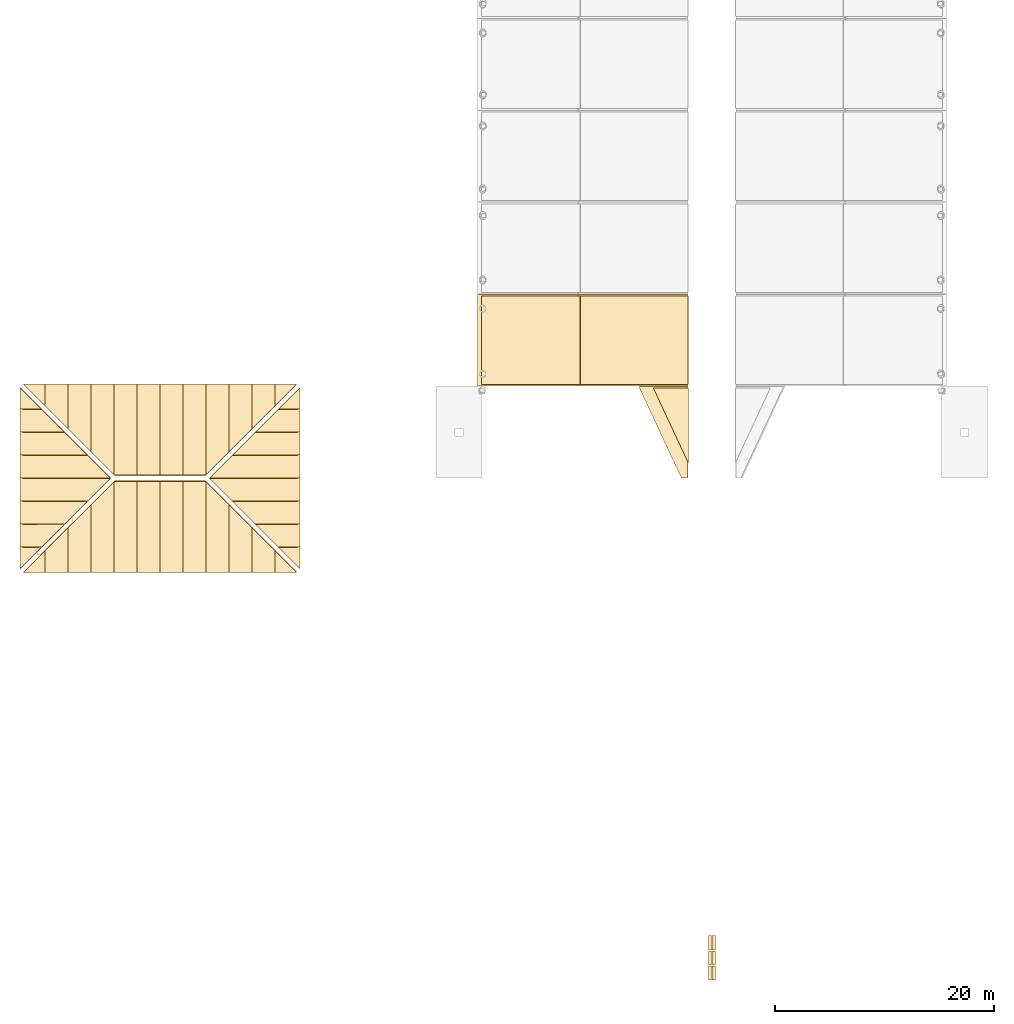
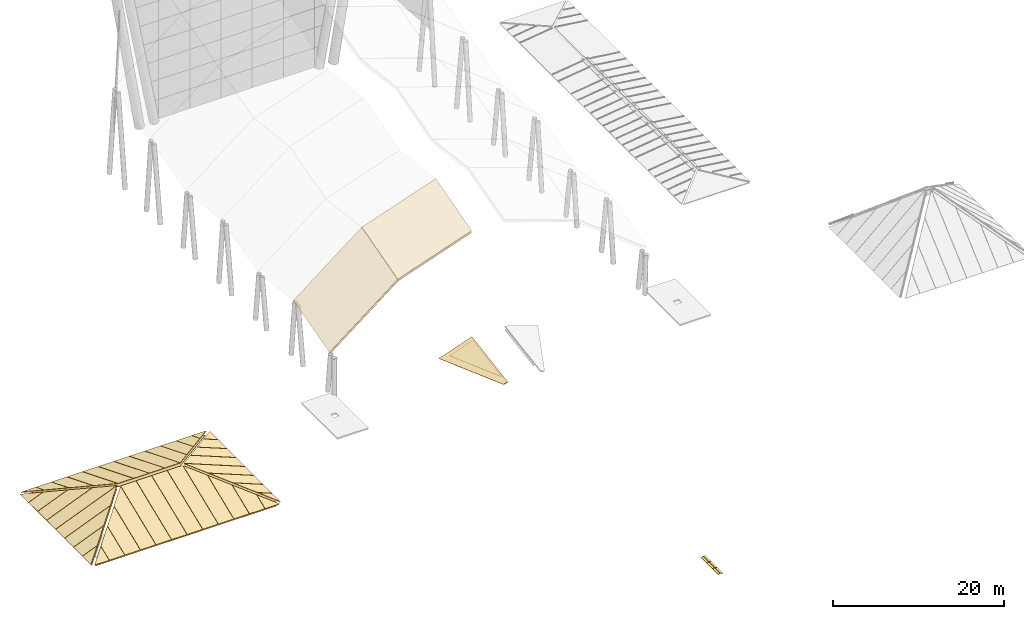
# One storey, part 4 of 8: 56 coverings.
"""IFC4 building model written with IfcOpenShell, lengths in metres."""

from ifc_helpers import new_model, si_unit, direction, frame, origin, place, context, subcontext, project, spatial, polyline, outline, extrude, material, layer, layer_set, type_object, element, save


model = new_model("IFC4")

# Units and contexts
model_context = context("Model", 3, precision=1e-05, world=origin(), true_north=direction((0.0, 1.0)))
body_context = subcontext(model_context, "Body", "Model", "MODEL_VIEW")
ifc_project = project(units=[si_unit("LENGTHUNIT", "METRE"), si_unit("AREAUNIT", "SQUARE_METRE"), si_unit("VOLUMEUNIT", "CUBIC_METRE"), si_unit("PLANEANGLEUNIT", "RADIAN"), si_unit("MASSUNIT", "GRAM", prefix="KILO")], contexts=[model_context])

# Site, building, storey
site_placement = place(None, origin())
site = spatial("IfcSite", under=ifc_project, at=site_placement, CompositionType="ELEMENT")
building_placement = place(site_placement, origin())
building = spatial("IfcBuilding", under=site, at=building_placement, Name="Sava Quay Ferry Terminal", CompositionType="ELEMENT")
storey_placement = place(building_placement, frame((0.0, 0.0, 18.0)))
storey = spatial("IfcBuildingStorey", under=building, at=storey_placement, Name="ROOF", CompositionType="ELEMENT", Elevation=18.0)

# Coverings
ifc_material_1 = material(Name="Glulam GL28h", Category="wood")
ifc_layer_1 = layer(ifc_material_1, 0.06005859375)
ifc_layer_set_1 = layer_set([ifc_layer_1], Name="Glulam GL28h")
covering_type_1 = type_object("IfcCoveringType", Name="Glulam soffit lining 60", PredefinedType="CEILING", material=ifc_layer_set_1)
covering_1_placement = place(storey_placement, frame((41.94580078125, 50.553955078125, 5.790771484375), z_axis=(-0.601145154914, -0.215889596729, 0.769425879957), x_axis=(0.0, 0.962817557191, 0.270152459854)))
element("IfcCovering", 1, at=covering_1_placement, inside=storey, type_object=covering_type_1, Name="Departure hall timber soffit lining bay 1 facet 1", PredefinedType="CEILING", context=body_context, shape_type="SweptSolid", body=[
    extrude(outline(polyline([(0.0, 0.0), (8.404542434016312, 0.0), (10.311570809072332, -11.306101466135969), (1.9070283750560204, -11.306101466135969), (0.0, 0.0)])), origin(), (0.0, 0.0, -1.0), 0.06005859375),
])
covering_2_placement = place(storey_placement, frame((50.998291015625, 50.553955078125, 12.859375), z_axis=(-0.314676338328, -0.25642845335, 0.913905493149), x_axis=(0.0, 0.962817557191, 0.270152459854)))
element("IfcCovering", 2, at=covering_2_placement, inside=storey, type_object=covering_type_1, Name="Departure hall timber soffit lining bay 1 facet 2", PredefinedType="CEILING", context=body_context, shape_type="SweptSolid", body=[
    extrude(outline(polyline([(0.0, 0.0), (8.404542434016312, 0.0), (9.320198342258088, -10.3705857986845), (0.9156559082417766, -10.3705857986845), (0.0, 0.0)])), origin(), (0.0, 0.0, -1.0), 0.06005859375),
])
covering_3_placement = place(storey_placement, frame((60.852783203125, 50.241943359375, 1.100341796875), z_axis=(-0.321911245392, -0.15003113666, 0.934806829309), x_axis=(0.0, -0.987364382877, -0.158466322685)))
element("IfcCovering", 3, at=covering_3_placement, inside=storey, type_object=covering_type_1, Name="Arrivals hall timber soffit lining bay 2 facet 2 (upper part)", PredefinedType="CEILING", context=body_context, shape_type="SweptSolid", body=[
    extrude(outline(polyline([(0.0, 0.0), (6.943694901440905, 0.0), (0.17436711824692316, -3.374962244334093), (0.0, 0.0)])), origin(), (0.0, 0.0, -1.0), 0.06005859375),
])
covering_4_placement = place(storey_placement, frame((0.366455078125, 33.662841796875, 0.171875), z_axis=(0.0, -0.374605765828, 0.927184188934), x_axis=(0.679904653714, 0.679904653714, 0.274698605233)))
element("IfcCovering", 4, at=covering_4_placement, inside=storey, type_object=covering_type_1, Name="West pavilion timber soffit lining WH-S", PredefinedType="CEILING", context=body_context, shape_type="SweptSolid", body=[
    extrude(outline(polyline([(0.0, 0.0), (11.918246830809617, -8.881784197001252e-16), (17.534597894872153, -6.0574275651987195), (16.635255049125327, -17.941694053539827), (0.0, 0.0)])), origin(), (0.0, 0.0, -1.0), 0.06005859375),
])
covering_5_placement = place(storey_placement, frame((25.13720703125, 33.966552734375, 0.171875), z_axis=(0.374594894351, 0.0, 0.92718858121), x_axis=(-0.679906385659, 0.679906385659, 0.274690031635)))
element("IfcCovering", 5, at=covering_5_placement, inside=storey, type_object=covering_type_1, Name="West pavilion timber soffit lining WH-E", PredefinedType="CEILING", context=body_context, shape_type="SweptSolid", body=[
    extrude(outline(polyline([(0.0, 0.0), (11.815519658395711, 0.0), (10.923984189509683, -11.781836414823188), (0.0, 0.0)])), origin(), (0.0, 0.0, -1.0), 0.06005859375),
])
covering_6_placement = place(storey_placement, frame((24.83349609375, 50.337158203125, 0.171875), z_axis=(0.0, 0.374605765828, 0.927184188934), x_axis=(-0.679904653714, -0.679904653714, 0.274698605233)))
element("IfcCovering", 6, at=covering_6_placement, inside=storey, type_object=covering_type_1, Name="West pavilion timber soffit lining WH-N", PredefinedType="CEILING", context=body_context, shape_type="SweptSolid", body=[
    extrude(outline(polyline([(0.0, 0.0), (11.918246830809617, -8.881784197001252e-16), (17.534597894872153, -6.0574275651987195), (16.635255049125327, -17.941694053539827), (0.0, 0.0)])), origin(), (0.0, 0.0, -1.0), 0.06005859375),
])
covering_7_placement = place(storey_placement, frame((0.062744140625, 50.033447265625, 0.171875), z_axis=(-0.374594894351, 0.0, 0.92718858121), x_axis=(0.679906385659, -0.679906385659, 0.274690031635)))
element("IfcCovering", 7, at=covering_7_placement, inside=storey, type_object=covering_type_1, Name="West pavilion timber soffit lining WH-W", PredefinedType="CEILING", context=body_context, shape_type="SweptSolid", body=[
    extrude(outline(polyline([(0.0, 0.0), (11.815519658395711, 0.0), (10.923984189509683, -11.781836414823188), (0.0, 0.0)])), origin(), (0.0, 0.0, -1.0), 0.06005859375),
])
ifc_material_2 = material(Name="Zinc standing seam")
ifc_layer_2 = layer(ifc_material_2, 0.06005859375)
ifc_layer_set_2 = layer_set([ifc_layer_2], Name="Zinc standing seam")
covering_type_2 = type_object("IfcCoveringType", Name="Roof ridge roll 300", PredefinedType="ROOFING", material=ifc_layer_set_2)
for number, where, z_axis, x_axis, name in (
    (8, (62.679931640625, -3.8349609375, -0.138916015625), (-0.153567445205, 0.0, 0.988138168362), (0.0, 1.0, 0.0), "Ridge roll"),
    (9, (62.679931640625, -2.4599609375, -0.138916015625), (-0.153567445205, 0.0, 0.988138168362), (0.0, 1.0, 0.0), "Ridge roll"),
):
    element("IfcCovering", number, at=place(storey_placement, frame(where, z_axis=z_axis, x_axis=x_axis)), inside=storey, type_object=covering_type_2, Name=name, PredefinedType="ROOFING", context=body_context, shape_type="SweptSolid", body=[
        extrude(outline(polyline([(0.0, 0.0), (1.294921875, 0.0), (1.294921875, -0.3036506813844435), (0.0, -0.3036506813844435), (0.0, 0.0)])), origin(), (0.0, 0.0, -1.0), 0.06005859375),
    ])
covering_8_placement = place(storey_placement, frame((62.679931640625, -1.0849609375, -0.138916015625), z_axis=(-0.153567445205, 0.0, 0.988138168362), x_axis=(0.0, 1.0, 0.0)))
element("IfcCovering", 10, at=covering_8_placement, inside=storey, type_object=covering_type_2, Name="Ridge roll", PredefinedType="ROOFING", context=body_context, shape_type="SweptSolid", body=[
    extrude(outline(polyline([(0.0, 0.0), (1.3349609375, 0.0), (1.3349609375, -0.30365068138444345), (0.0, -0.30365068138444345), (0.0, 0.0)])), origin(), (0.0, 0.0, -1.0), 0.06005859375),
])
for number, where, z_axis, x_axis, name in (
    (11, (63.02001953125, -3.8349609375, -0.09228515625), (0.153567445205, 0.0, 0.988138168362), (0.0, 1.0, 0.0), "Ridge roll"),
    (12, (63.02001953125, -2.4599609375, -0.09228515625), (0.153567445205, 0.0, 0.988138168362), (0.0, 1.0, 0.0), "Ridge roll"),
):
    element("IfcCovering", number, at=place(storey_placement, frame(where, z_axis=z_axis, x_axis=x_axis)), inside=storey, type_object=covering_type_2, Name=name, PredefinedType="ROOFING", context=body_context, shape_type="SweptSolid", body=[
        extrude(outline(polyline([(0.0, 0.0), (1.294921875, 0.0), (1.294921875, -0.3036506813844435), (0.0, -0.3036506813844435), (0.0, 0.0)])), origin(), (0.0, 0.0, -1.0), 0.06005859375),
    ])
covering_9_placement = place(storey_placement, frame((63.02001953125, -1.0849609375, -0.09228515625), z_axis=(0.153567445205, 0.0, 0.988138168362), x_axis=(0.0, 1.0, 0.0)))
element("IfcCovering", 13, at=covering_9_placement, inside=storey, type_object=covering_type_2, Name="Ridge roll", PredefinedType="ROOFING", context=body_context, shape_type="SweptSolid", body=[
    extrude(outline(polyline([(0.0, 0.0), (1.3349609375, 0.0), (1.3349609375, -0.30365068138444345), (0.0, -0.30365068138444345), (0.0, 0.0)])), origin(), (0.0, 0.0, -1.0), 0.06005859375),
])
ifc_material_3 = material(Name="Zinc standing seam sheet")
ifc_layer_3 = layer(ifc_material_3, 0.0400390625)
ifc_layer_set_3 = layer_set([ifc_layer_3], Name="Zinc standing seam sheet")
covering_type_3 = type_object("IfcCoveringType", Name="Standing seam roofing 40", PredefinedType="ROOFING", material=ifc_layer_set_3)
covering_10_placement = place(storey_placement, frame((41.5810546875, 50.409912109375, 5.998291015625), z_axis=(-0.601139927237, -0.215899165104, 0.769427279468), x_axis=(-6.487045e-06, 0.962815888899, 0.270158405462)))
element("IfcCovering", 14, at=covering_10_placement, inside=storey, type_object=covering_type_3, Name="Departure hall roofing bay 1 facet 1", PredefinedType="ROOFING", context=body_context, shape_type="SweptSolid", body=[
    extrude(outline(polyline([(0.0, 0.0), (8.703747800160818, 2.220446049250313e-16), (10.647100527460987, -11.52151169887417), (1.9432867706582102, -11.521370393094399), (0.0, 0.0)])), origin(), (0.0, 0.0, -1.0), 0.0400390625),
])
covering_11_placement = place(storey_placement, frame((50.8056640625, 50.409912109375, 13.201171875), z_axis=(-0.314689477842, -0.256425038834, 0.913901926902), x_axis=(0.0, 0.962818218662, 0.270150102373)))
element("IfcCovering", 15, at=covering_11_placement, inside=storey, type_object=covering_type_3, Name="Departure hall roofing bay 1 facet 2", PredefinedType="ROOFING", context=body_context, shape_type="SweptSolid", body=[
    extrude(outline(polyline([(0.0, 0.0), (8.703747800667596, 2.220446049250313e-16), (9.63120159450609, -10.50386722357002), (0.9274537938384919, -10.50386722357002), (0.0, 0.0)])), origin(), (0.0, 0.0, -1.0), 0.0400390625),
])
covering_12_placement = place(storey_placement, frame((60.784912109375, 50.389892578125, 1.539306640625), z_axis=(-0.321880583102, -0.150026753176, 0.934818091157), x_axis=(-3.653575e-06, -0.987365209133, -0.158461174363)))
element("IfcCovering", 16, at=covering_12_placement, inside=storey, type_object=covering_type_3, Name="Arrivals hall roofing bay 2 facet 2 (upper part)", PredefinedType="ROOFING", context=body_context, shape_type="SweptSolid", body=[
    extrude(outline(polyline([(0.0, 0.0), (8.487130382774678, 5.551115123125783e-17), (8.51792714681553, -0.596406747490784), (0.24393667024225812, -4.721523120221455), (0.0, 0.0)])), origin(), (0.0, 0.0, -1.0), 0.0400390625),
])
covering_13_placement = place(storey_placement, frame((2.090087890625, 35.382568359375, 1.308837890625), z_axis=(0.0, -0.374608938698, 0.927182907008), x_axis=(0.0, -0.927182907008, -0.374608938698)))
element("IfcCovering", 17, at=covering_13_placement, inside=storey, type_object=covering_type_3, Name="West pavilion roofing WH-S", PredefinedType="ROOFING", context=body_context, shape_type="SweptSolid", body=[
    extrude(outline(polyline([(0.0, 0.0), (2.130476933887796, 0.0), (2.130476933887796, -1.9755859375000004), (0.0, 0.0)])), origin(), (0.0, 0.0, -1.0), 0.0400390625),
])
covering_14_placement = place(storey_placement, frame((4.18994140625, 37.482666015625, 2.1572265625), z_axis=(6.889365e-06, -0.374590048786, 0.927190538834), x_axis=(-2.2e-11, -0.927190538856, -0.374590048795)))
element("IfcCovering", 18, at=covering_14_placement, inside=storey, type_object=covering_type_3, Name="West pavilion roofing WH-S", PredefinedType="ROOFING", context=body_context, shape_type="SweptSolid", body=[
    extrude(outline(polyline([(0.0, 0.0), (4.395465564988722, 1.6940658945086007e-21), (4.3954655650354315, -2.0798339843256417), (2.243408774217618, -2.0798339844726894), (0.0, 0.0)])), origin(), (0.0, 0.0, -1.0), 0.0400390625),
])
covering_15_placement = place(storey_placement, frame((6.2900390625, 39.58251953125, 3.005859375), z_axis=(5.773705e-06, -0.374625932244, 0.927176040921), x_axis=(-1e-11, -0.927176040936, -0.37462593225)))
element("IfcCovering", 19, at=covering_15_placement, inside=storey, type_object=covering_type_3, Name="West pavilion roofing WH-S", PredefinedType="ROOFING", context=body_context, shape_type="SweptSolid", body=[
    extrude(outline(polyline([(0.0, 0.0), (6.6603192888259395, 3.3881317890172014e-21), (6.660319288847595, -2.0800781249653295), (2.2431824100652533, -2.0800781250806573), (0.0, 0.0)])), origin(), (0.0, 0.0, -1.0), 0.0400390625),
])
covering_16_placement = place(storey_placement, frame((8.389892578125, 41.6826171875, 3.854248046875), z_axis=(2.0874222e-05, -0.374614090959, 0.927180825093), x_axis=(-1.02e-10, -0.927180825295, -0.374614091041)))
element("IfcCovering", 20, at=covering_16_placement, inside=storey, type_object=covering_type_3, Name="West pavilion roofing WH-S", PredefinedType="ROOFING", context=body_context, shape_type="SweptSolid", body=[
    extrude(outline(polyline([(0.0, 0.0), (8.925307917720708, -1.3552527156068805e-20), (8.92530791793189, -2.0798339839218736), (2.2434087728847762, -2.0798339855065886), (0.0, 0.0)])), origin(), (0.0, 0.0, -1.0), 0.0400390625),
])
covering_17_placement = place(storey_placement, frame((8.421875, 41.71435546875, 3.8671875), z_axis=(-3.2967717e-05, -0.37462069276, 0.927178157351), x_axis=(0.999999999457, -1.2350389e-05, 3.0566947e-05)))
element("IfcCovering", 21, at=covering_17_placement, inside=storey, type_object=covering_type_3, Name="West pavilion roofing WH-S", PredefinedType="ROOFING", context=body_context, shape_type="SweptSolid", body=[
    extrude(outline(polyline([(0.0, 0.0), (2.0681152332511132, 0.0), (2.0681152332381108, -8.959582345224437), (-0.011962890631501055, -8.959582345224437), (-0.011962895140049435, -0.012694571639725098), (0.0, 0.0)])), origin(), (0.0, 0.0, -1.0), 0.0400390625),
])
covering_18_placement = place(storey_placement, frame((12.590087890625, 41.71435546875, 3.8671875), z_axis=(0.0, -0.374620733777, 0.927178141365), x_axis=(0.0, -0.927178141365, -0.374620733777)))
element("IfcCovering", 22, at=covering_18_placement, inside=storey, type_object=covering_type_3, Name="West pavilion roofing WH-S", PredefinedType="ROOFING", context=body_context, shape_type="SweptSolid", body=[
    extrude(outline(polyline([(0.0, 0.0), (8.959582345224444, 0.0), (8.959582345224444, -2.080078125), (0.0, -2.080078125), (0.0, 0.0)])), origin(), (0.0, 0.0, -1.0), 0.0400390625),
])
covering_19_placement = place(storey_placement, frame((14.68994140625, 41.71435546875, 3.8671875), z_axis=(0.0, -0.374620733777, 0.927178141365), x_axis=(0.0, -0.927178141365, -0.374620733777)))
element("IfcCovering", 23, at=covering_19_placement, inside=storey, type_object=covering_type_3, Name="West pavilion roofing WH-S", PredefinedType="ROOFING", context=body_context, shape_type="SweptSolid", body=[
    extrude(outline(polyline([(0.0, 0.0), (8.959582345224444, 0.0), (8.959582345224444, -2.079833984375), (0.0, -2.079833984375), (0.0, 0.0)])), origin(), (0.0, 0.0, -1.0), 0.0400390625),
])
covering_20_placement = place(storey_placement, frame((16.778076171875, 41.71435546875, 3.8671875), z_axis=(3.2967717e-05, -0.37462069276, 0.927178157351), x_axis=(0.685822481935, -0.67476292663, -0.272658240511)))
element("IfcCovering", 24, at=covering_20_placement, inside=storey, type_object=covering_type_3, Name="West pavilion roofing WH-S", PredefinedType="ROOFING", context=body_context, shape_type="SweptSolid", body=[
    extrude(outline(polyline([(0.0, 0.0), (0.017443136450992155, 1.5178830414797062e-18), (6.528709505290079, -6.135976785088471), (5.102145162984108, -7.649792883120877), (-1.418359922966418, -1.505109878689262), (0.0, 0.0)])), origin(), (0.0, 0.0, -1.0), 0.0400390625),
])
covering_21_placement = place(storey_placement, frame((18.889892578125, 39.6025390625, 3.013916015625), z_axis=(-2.0874222e-05, -0.374614090959, 0.927180825093), x_axis=(-1.36e-10, -0.927180825295, -0.374614091041)))
element("IfcCovering", 25, at=covering_21_placement, inside=storey, type_object=covering_type_3, Name="West pavilion roofing WH-S", PredefinedType="ROOFING", context=body_context, shape_type="SweptSolid", body=[
    extrude(outline(polyline([(0.0, 0.0), (6.681899145047114, 0.0), (6.681899145329198, -2.079833983921874), (-2.2434087723915113, -2.0798339860386483), (0.0, 0.0)])), origin(), (0.0, 0.0, -1.0), 0.0400390625),
])
covering_22_placement = place(storey_placement, frame((20.989990234375, 37.502685546875, 2.16552734375), z_axis=(-5.773705e-06, -0.374625932244, 0.927176040921), x_axis=(-1.6e-11, -0.927176040936, -0.37462593225)))
element("IfcCovering", 26, at=covering_22_placement, inside=storey, type_object=covering_type_3, Name="West pavilion roofing WH-S", PredefinedType="ROOFING", context=body_context, shape_type="SweptSolid", body=[
    extrude(outline(polyline([(0.0, 0.0), (4.417136878782342, 1.6940658945086007e-21), (4.417136878814995, -2.0800781249653295), (-2.243182410010944, -2.0800781251392246), (0.0, 0.0)])), origin(), (0.0, 0.0, -1.0), 0.0400390625),
])
covering_23_placement = place(storey_placement, frame((23.090087890625, 35.402587890625, 1.31689453125), z_axis=(-6.888556e-06, -0.374590048786, 0.927190538834), x_axis=(-4.6e-11, -0.927190538856, -0.374590048795)))
element("IfcCovering", 27, at=covering_23_placement, inside=storey, type_object=covering_type_3, Name="West pavilion roofing WH-S", PredefinedType="ROOFING", context=body_context, shape_type="SweptSolid", body=[
    extrude(outline(polyline([(0.0, 0.0), (2.1520567908178143, 8.470329472543003e-22), (2.1520567909132176, -2.0800781249506484), (-2.243408774075505, -2.080078125250951), (0.0, 0.0)])), origin(), (0.0, 0.0, -1.0), 0.0400390625),
])
covering_24_placement = place(storey_placement, frame((25.08544921875, 33.4072265625, 0.5107421875), z_axis=(0.0, -0.374608938698, 0.927182907008), x_axis=(-1.0, 0.0, 0.0)))
element("IfcCovering", 28, at=covering_24_placement, inside=storey, type_object=covering_type_3, Name="West pavilion roofing WH-S", PredefinedType="ROOFING", context=body_context, shape_type="SweptSolid", body=[
    extrude(outline(polyline([(0.0, 0.0), (1.975341796875, 0.0), (1.975341796875, -2.1304769338877954), (0.0, 0.0)])), origin(), (0.0, 0.0, -1.0), 0.0400390625),
])
covering_25_placement = place(storey_placement, frame((23.41748046875, 35.68994140625, 1.308837890625), z_axis=(0.374608938698, 0.0, 0.927182907008), x_axis=(0.927182907008, 0.0, -0.374608938698)))
element("IfcCovering", 29, at=covering_25_placement, inside=storey, type_object=covering_type_3, Name="West pavilion roofing WH-E", PredefinedType="ROOFING", context=body_context, shape_type="SweptSolid", body=[
    extrude(outline(polyline([(0.0, 0.0), (2.130476933887796, 0.0), (2.130476933887796, -1.975341796875), (0.0, 0.0)])), origin(), (0.0, 0.0, -1.0), 0.0400390625),
])
covering_26_placement = place(storey_placement, frame((21.3173828125, 37.7900390625, 2.1572265625), z_axis=(0.374590048786, 6.888556e-06, 0.927190538834), x_axis=(0.927190538856, -2.2e-11, -0.374590048795)))
element("IfcCovering", 30, at=covering_26_placement, inside=storey, type_object=covering_type_3, Name="West pavilion roofing WH-E", PredefinedType="ROOFING", context=body_context, shape_type="SweptSolid", body=[
    extrude(outline(polyline([(0.0, 0.0), (4.395465564988722, -1.6940658945086007e-21), (4.3954655650354315, -2.080078124950648), (2.243408774217618, -2.0800781250976788), (0.0, 0.0)])), origin(), (0.0, 0.0, -1.0), 0.0400390625),
])
covering_27_placement = place(storey_placement, frame((19.21728515625, 39.889892578125, 3.005859375), z_axis=(0.37461827703, 2.3309197e-05, 0.927179133702), x_axis=(0.927179133953, -1.7e-10, -0.374618277132)))
element("IfcCovering", 31, at=covering_27_placement, inside=storey, type_object=covering_type_3, Name="West pavilion roofing WH-E", PredefinedType="ROOFING", context=body_context, shape_type="SweptSolid", body=[
    extrude(outline(polyline([(0.0, 0.0), (6.660545650791338, 6.776263578034403e-21), (6.660545651144198, -2.0798339838099937), (2.243408772611565, -2.0798339856894072), (0.0, 0.0)])), origin(), (0.0, 0.0, -1.0), 0.0400390625),
])
covering_28_placement = place(storey_placement, frame((17.117431640625, 41.989990234375, 3.854248046875), z_axis=(0.374608657813, -4.272335e-06, 0.927183020484), x_axis=(0.927183020492, -4e-12, -0.374608657816)))
element("IfcCovering", 32, at=covering_28_placement, inside=storey, type_object=covering_type_3, Name="West pavilion roofing WH-E", PredefinedType="ROOFING", context=body_context, shape_type="SweptSolid", body=[
    extrude(outline(polyline([(0.0, 0.0), (8.925307917821877, -3.3881317890172014e-21), (8.925307917830725, -2.0800781249810165), (2.2431824101106304, -2.0800781250474087), (0.0, 0.0)])), origin(), (0.0, 0.0, -1.0), 0.0400390625),
])
covering_29_placement = place(storey_placement, frame((19.197265625, 44.090087890625, 3.013916015625), z_axis=(0.374608657813, 4.272335e-06, 0.927183020484), x_axis=(0.927183020492, -6e-12, -0.374608657816)))
element("IfcCovering", 33, at=covering_29_placement, inside=storey, type_object=covering_type_3, Name="West pavilion roofing WH-E", PredefinedType="ROOFING", context=body_context, shape_type="SweptSolid", body=[
    extrude(outline(polyline([(0.0, 0.0), (6.6821255077200945, 1.6940658945086007e-21), (6.6821255077319135, -2.0800781249810165), (-2.243182410089963, -2.0800781250696967), (0.0, 0.0)])), origin(), (0.0, 0.0, -1.0), 0.0400390625),
])
covering_30_placement = place(storey_placement, frame((21.29736328125, 46.18994140625, 2.16552734375), z_axis=(0.37461827703, -2.3309197e-05, 0.927179133702), x_axis=(0.927179133953, -2.56e-10, -0.374618277132)))
element("IfcCovering", 34, at=covering_30_placement, inside=storey, type_object=covering_type_3, Name="West pavilion roofing WH-E", PredefinedType="ROOFING", context=body_context, shape_type="SweptSolid", body=[
    extrude(outline(polyline([(0.0, 0.0), (4.417136878532633, 0.0), (4.417136879064705, -2.0798339838099937), (-2.2434087717266324, -2.0798339866439384), (0.0, 0.0)])), origin(), (0.0, 0.0, -1.0), 0.0400390625),
])
covering_31_placement = place(storey_placement, frame((23.3974609375, 48.2900390625, 1.31689453125), z_axis=(0.374590048786, -6.888556e-06, 0.927190538834), x_axis=(0.927190538856, -4.6e-11, -0.374590048795)))
element("IfcCovering", 35, at=covering_31_placement, inside=storey, type_object=covering_type_3, Name="West pavilion roofing WH-E", PredefinedType="ROOFING", context=body_context, shape_type="SweptSolid", body=[
    extrude(outline(polyline([(0.0, 0.0), (2.1520567908178143, 8.470329472543003e-22), (2.1520567909132176, -2.0800781249506484), (-2.243408774075505, -2.080078125250951), (0.0, 0.0)])), origin(), (0.0, 0.0, -1.0), 0.0400390625),
])
covering_32_placement = place(storey_placement, frame((25.392822265625, 50.285400390625, 0.5107421875), z_axis=(0.374608938698, 0.0, 0.927182907008), x_axis=(0.0, -1.0, 0.0)))
element("IfcCovering", 36, at=covering_32_placement, inside=storey, type_object=covering_type_3, Name="West pavilion roofing WH-E", PredefinedType="ROOFING", context=body_context, shape_type="SweptSolid", body=[
    extrude(outline(polyline([(0.0, 0.0), (1.975341796875, 0.0), (1.975341796875, -2.1304769338877954), (0.0, 0.0)])), origin(), (0.0, 0.0, -1.0), 0.0400390625),
])
covering_33_placement = place(storey_placement, frame((23.110107421875, 48.617431640625, 1.308837890625), z_axis=(0.0, 0.374608938698, 0.927182907008), x_axis=(0.0, 0.927182907008, -0.374608938698)))
element("IfcCovering", 37, at=covering_33_placement, inside=storey, type_object=covering_type_3, Name="West pavilion roofing WH-N", PredefinedType="ROOFING", context=body_context, shape_type="SweptSolid", body=[
    extrude(outline(polyline([(0.0, 0.0), (2.130476933887796, 0.0), (2.130476933887796, -1.975341796875), (0.0, 0.0)])), origin(), (0.0, 0.0, -1.0), 0.0400390625),
])
covering_34_placement = place(storey_placement, frame((21.010009765625, 46.517333984375, 2.1572265625), z_axis=(-6.888556e-06, 0.374590048786, 0.927190538834), x_axis=(2.2e-11, 0.927190538856, -0.374590048795)))
element("IfcCovering", 38, at=covering_34_placement, inside=storey, type_object=covering_type_3, Name="West pavilion roofing WH-N", PredefinedType="ROOFING", context=body_context, shape_type="SweptSolid", body=[
    extrude(outline(polyline([(0.0, 0.0), (4.395465564988722, -1.6940658945086007e-21), (4.3954655650354315, -2.080078124950648), (2.243408774217618, -2.0800781250976788), (0.0, 0.0)])), origin(), (0.0, 0.0, -1.0), 0.0400390625),
])
covering_35_placement = place(storey_placement, frame((18.909912109375, 44.41748046875, 3.005859375), z_axis=(-5.773705e-06, 0.374625932244, 0.927176040921), x_axis=(1e-11, 0.927176040936, -0.37462593225)))
element("IfcCovering", 39, at=covering_35_placement, inside=storey, type_object=covering_type_3, Name="West pavilion roofing WH-N", PredefinedType="ROOFING", context=body_context, shape_type="SweptSolid", body=[
    extrude(outline(polyline([(0.0, 0.0), (6.6603192888259395, 3.3881317890172014e-21), (6.660319288847595, -2.0800781249653295), (2.2431824100652533, -2.0800781250806573), (0.0, 0.0)])), origin(), (0.0, 0.0, -1.0), 0.0400390625),
])
covering_36_placement = place(storey_placement, frame((16.81005859375, 42.3173828125, 3.854248046875), z_axis=(-2.0874222e-05, 0.374614090959, 0.927180825093), x_axis=(1.02e-10, 0.927180825295, -0.374614091041)))
element("IfcCovering", 40, at=covering_36_placement, inside=storey, type_object=covering_type_3, Name="West pavilion roofing WH-N", PredefinedType="ROOFING", context=body_context, shape_type="SweptSolid", body=[
    extrude(outline(polyline([(0.0, 0.0), (8.925307917720708, -1.3552527156068805e-20), (8.92530791793189, -2.0798339839218736), (2.2434087728847762, -2.0798339855065886), (0.0, 0.0)])), origin(), (0.0, 0.0, -1.0), 0.0400390625),
])
covering_37_placement = place(storey_placement, frame((16.778076171875, 42.28564453125, 3.8671875), z_axis=(3.2967717e-05, 0.37462069276, 0.927178157351), x_axis=(-0.999999999457, 1.2350389e-05, 3.0566947e-05)))
element("IfcCovering", 41, at=covering_37_placement, inside=storey, type_object=covering_type_3, Name="West pavilion roofing WH-N", PredefinedType="ROOFING", context=body_context, shape_type="SweptSolid", body=[
    extrude(outline(polyline([(0.0, 0.0), (2.0681152332511132, 0.0), (2.0681152332381108, -8.959582345224437), (-0.011962890631501055, -8.959582345224437), (-0.011962895140049435, -0.012694571639725098), (0.0, 0.0)])), origin(), (0.0, 0.0, -1.0), 0.0400390625),
])
covering_38_placement = place(storey_placement, frame((12.610107421875, 42.28564453125, 3.8671875), z_axis=(0.0, 0.374620733777, 0.927178141365), x_axis=(0.0, 0.927178141365, -0.374620733777)))
element("IfcCovering", 42, at=covering_38_placement, inside=storey, type_object=covering_type_3, Name="West pavilion roofing WH-N", PredefinedType="ROOFING", context=body_context, shape_type="SweptSolid", body=[
    extrude(outline(polyline([(0.0, 0.0), (8.959582345224444, 0.0), (8.959582345224444, -2.079833984375), (0.0, -2.079833984375), (0.0, 0.0)])), origin(), (0.0, 0.0, -1.0), 0.0400390625),
])
covering_39_placement = place(storey_placement, frame((10.510009765625, 42.28564453125, 3.8671875), z_axis=(0.0, 0.374620733777, 0.927178141365), x_axis=(0.0, 0.927178141365, -0.374620733777)))
element("IfcCovering", 43, at=covering_39_placement, inside=storey, type_object=covering_type_3, Name="West pavilion roofing WH-N", PredefinedType="ROOFING", context=body_context, shape_type="SweptSolid", body=[
    extrude(outline(polyline([(0.0, 0.0), (8.959582345224444, 0.0), (8.959582345224444, -2.080078125), (0.0, -2.080078125), (0.0, 0.0)])), origin(), (0.0, 0.0, -1.0), 0.0400390625),
])
covering_40_placement = place(storey_placement, frame((8.421875, 42.28564453125, 3.8671875), z_axis=(-3.2967717e-05, 0.37462069276, 0.927178157351), x_axis=(-0.685822481935, 0.67476292663, -0.272658240511)))
element("IfcCovering", 44, at=covering_40_placement, inside=storey, type_object=covering_type_3, Name="West pavilion roofing WH-N", PredefinedType="ROOFING", context=body_context, shape_type="SweptSolid", body=[
    extrude(outline(polyline([(0.0, 0.0), (0.017443136450992155, 1.5178830414797062e-18), (6.528709505290079, -6.135976785088471), (5.102145162984108, -7.649792883120877), (-1.418359922966418, -1.505109878689262), (0.0, 0.0)])), origin(), (0.0, 0.0, -1.0), 0.0400390625),
])
covering_41_placement = place(storey_placement, frame((6.31005859375, 44.3974609375, 3.013916015625), z_axis=(2.0874222e-05, 0.374614090959, 0.927180825093), x_axis=(1.36e-10, 0.927180825295, -0.374614091041)))
element("IfcCovering", 45, at=covering_41_placement, inside=storey, type_object=covering_type_3, Name="West pavilion roofing WH-N", PredefinedType="ROOFING", context=body_context, shape_type="SweptSolid", body=[
    extrude(outline(polyline([(0.0, 0.0), (6.681899145047114, 0.0), (6.681899145329198, -2.079833983921874), (-2.2434087723915113, -2.0798339860386483), (0.0, 0.0)])), origin(), (0.0, 0.0, -1.0), 0.0400390625),
])
covering_42_placement = place(storey_placement, frame((4.2099609375, 46.497314453125, 2.16552734375), z_axis=(5.773705e-06, 0.374625932244, 0.927176040921), x_axis=(1.6e-11, 0.927176040936, -0.37462593225)))
element("IfcCovering", 46, at=covering_42_placement, inside=storey, type_object=covering_type_3, Name="West pavilion roofing WH-N", PredefinedType="ROOFING", context=body_context, shape_type="SweptSolid", body=[
    extrude(outline(polyline([(0.0, 0.0), (4.417136878782342, 1.6940658945086007e-21), (4.417136878814995, -2.0800781249653295), (-2.243182410010944, -2.0800781251392246), (0.0, 0.0)])), origin(), (0.0, 0.0, -1.0), 0.0400390625),
])
covering_43_placement = place(storey_placement, frame((2.110107421875, 48.597412109375, 1.31689453125), z_axis=(6.889365e-06, 0.374590048786, 0.927190538834), x_axis=(4.6e-11, 0.927190538856, -0.374590048795)))
element("IfcCovering", 47, at=covering_43_placement, inside=storey, type_object=covering_type_3, Name="West pavilion roofing WH-N", PredefinedType="ROOFING", context=body_context, shape_type="SweptSolid", body=[
    extrude(outline(polyline([(0.0, 0.0), (2.1520567908178143, 0.0), (2.1520567909132176, -2.079833984325642), (-2.2434087740755055, -2.07983398462598), (0.0, 0.0)])), origin(), (0.0, 0.0, -1.0), 0.0400390625),
])
covering_44_placement = place(storey_placement, frame((0.114501953125, 50.5927734375, 0.5107421875), z_axis=(0.0, 0.374608938698, 0.927182907008), x_axis=(1.0, 0.0, 0.0)))
element("IfcCovering", 48, at=covering_44_placement, inside=storey, type_object=covering_type_3, Name="West pavilion roofing WH-N", PredefinedType="ROOFING", context=body_context, shape_type="SweptSolid", body=[
    extrude(outline(polyline([(0.0, 0.0), (1.9755859375, 0.0), (1.9755859375, -2.130476933887796), (0.0, 0.0)])), origin(), (0.0, 0.0, -1.0), 0.0400390625),
])
covering_45_placement = place(storey_placement, frame((1.78271484375, 48.31005859375, 1.308837890625), z_axis=(-0.37456914041, 0.0, 0.927198985683), x_axis=(-0.927198985683, 0.0, -0.37456914041)))
element("IfcCovering", 49, at=covering_45_placement, inside=storey, type_object=covering_type_3, Name="West pavilion roofing WH-W", PredefinedType="ROOFING", context=body_context, shape_type="SweptSolid", body=[
    extrude(outline(polyline([(0.0, 0.0), (2.130703298865035, 0.0), (2.130703298865035, -1.975341796875), (0.0, 0.0)])), origin(), (0.0, 0.0, -1.0), 0.0400390625),
])
covering_46_placement = place(storey_placement, frame((3.882568359375, 46.2099609375, 2.1572265625), z_axis=(-0.374577098558, 2.2625542e-05, 0.927195770441), x_axis=(-0.927195770678, 2.42e-10, -0.374577098654)))
element("IfcCovering", 50, at=covering_46_placement, inside=storey, type_object=covering_type_3, Name="West pavilion roofing WH-W", PredefinedType="ROOFING", context=body_context, shape_type="SweptSolid", body=[
    extrude(outline(polyline([(0.0, 0.0), (4.395465564760123, 0.0), (4.395465565264032, -2.0800781244675886), (2.2431824087013066, -2.080078126053813), (0.0, 0.0)])), origin(), (0.0, 0.0, -1.0), 0.0400390625),
])
covering_47_placement = place(storey_placement, frame((5.982666015625, 44.110107421875, 3.005859375), z_axis=(-0.37461827703, -2.3309197e-05, 0.927179133702), x_axis=(-0.927179133953, 1.7e-10, -0.374618277132)))
element("IfcCovering", 51, at=covering_47_placement, inside=storey, type_object=covering_type_3, Name="West pavilion roofing WH-W", PredefinedType="ROOFING", context=body_context, shape_type="SweptSolid", body=[
    extrude(outline(polyline([(0.0, 0.0), (6.660545650791338, 6.776263578034403e-21), (6.660545651144198, -2.0798339838099937), (2.243408772611565, -2.0798339856894072), (0.0, 0.0)])), origin(), (0.0, 0.0, -1.0), 0.0400390625),
])
covering_48_placement = place(storey_placement, frame((8.08251953125, 42.010009765625, 3.854248046875), z_axis=(-0.374608657813, 4.272335e-06, 0.927183020484), x_axis=(-0.927183020492, 4e-12, -0.374608657816)))
element("IfcCovering", 52, at=covering_48_placement, inside=storey, type_object=covering_type_3, Name="West pavilion roofing WH-W", PredefinedType="ROOFING", context=body_context, shape_type="SweptSolid", body=[
    extrude(outline(polyline([(0.0, 0.0), (8.925307917821877, -3.3881317890172014e-21), (8.925307917830725, -2.0800781249810165), (2.2431824101106304, -2.0800781250474087), (0.0, 0.0)])), origin(), (0.0, 0.0, -1.0), 0.0400390625),
])
covering_49_placement = place(storey_placement, frame((6.002685546875, 39.909912109375, 3.013916015625), z_axis=(-0.374608657813, -4.272335e-06, 0.927183020484), x_axis=(-0.927183020492, 6e-12, -0.374608657816)))
element("IfcCovering", 53, at=covering_49_placement, inside=storey, type_object=covering_type_3, Name="West pavilion roofing WH-W", PredefinedType="ROOFING", context=body_context, shape_type="SweptSolid", body=[
    extrude(outline(polyline([(0.0, 0.0), (6.6821255077200945, 1.6940658945086007e-21), (6.6821255077319135, -2.0800781249810165), (-2.243182410089963, -2.0800781250696967), (0.0, 0.0)])), origin(), (0.0, 0.0, -1.0), 0.0400390625),
])
covering_50_placement = place(storey_placement, frame((3.902587890625, 37.81005859375, 2.16552734375), z_axis=(-0.37461827703, 2.3309197e-05, 0.927179133702), x_axis=(-0.927179133953, 2.56e-10, -0.374618277132)))
element("IfcCovering", 54, at=covering_50_placement, inside=storey, type_object=covering_type_3, Name="West pavilion roofing WH-W", PredefinedType="ROOFING", context=body_context, shape_type="SweptSolid", body=[
    extrude(outline(polyline([(0.0, 0.0), (4.417136878532633, 0.0), (4.417136879064705, -2.0798339838099937), (-2.2434087717266324, -2.0798339866439384), (0.0, 0.0)])), origin(), (0.0, 0.0, -1.0), 0.0400390625),
])
covering_51_placement = place(storey_placement, frame((1.802734375, 35.7099609375, 1.31689453125), z_axis=(-0.374577098558, -2.2625542e-05, 0.927195770441), x_axis=(-0.927195770678, 4.95e-10, -0.374577098654)))
element("IfcCovering", 55, at=covering_51_placement, inside=storey, type_object=covering_type_3, Name="West pavilion roofing WH-W", PredefinedType="ROOFING", context=body_context, shape_type="SweptSolid", body=[
    extrude(outline(polyline([(0.0, 0.0), (2.152283156562725, -6.776263578034403e-21), (2.1522831575918264, -2.080078124467588), (-2.2431824071682964, -2.08007812770703), (0.0, 0.0)])), origin(), (0.0, 0.0, -1.0), 0.0400390625),
])
covering_52_placement = place(storey_placement, frame((-0.19287109375, 33.714599609375, 0.5107421875), z_axis=(-0.37456914041, 0.0, 0.927198985683), x_axis=(0.0, 1.0, 0.0)))
element("IfcCovering", 56, at=covering_52_placement, inside=storey, type_object=covering_type_3, Name="West pavilion roofing WH-W", PredefinedType="ROOFING", context=body_context, shape_type="SweptSolid", body=[
    extrude(outline(polyline([(0.0, 0.0), (1.975341796875, 0.0), (1.975341796875, -2.130703298865035), (0.0, 0.0)])), origin(), (0.0, 0.0, -1.0), 0.0400390625),
])

save(model, "model.ifc")
